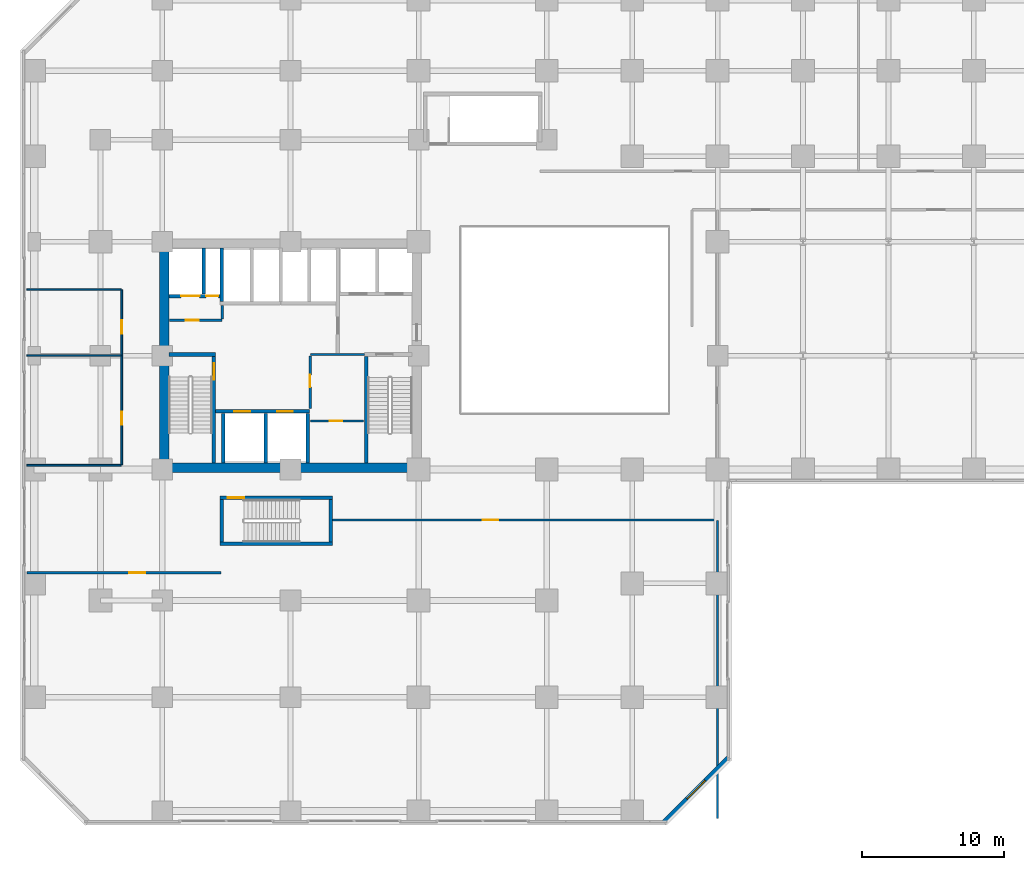
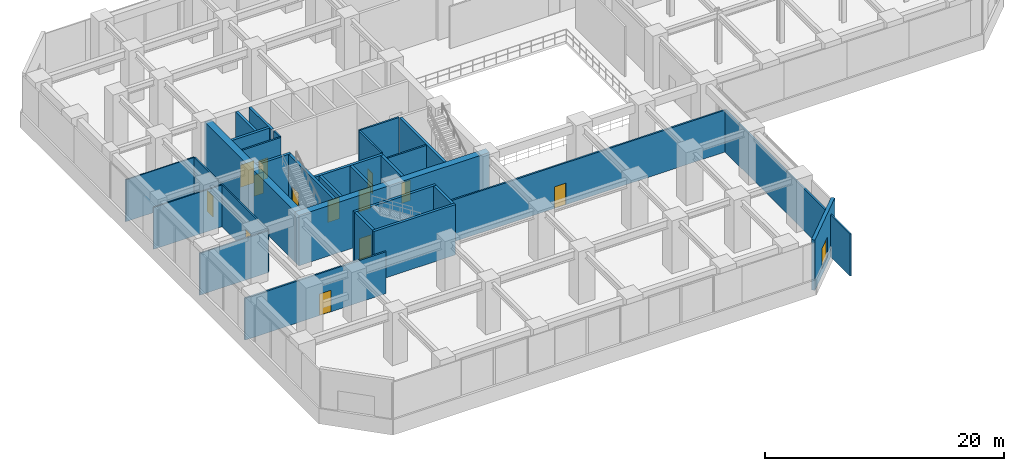
# One storey, part 24 of 33: 29 walls, 13 doors, 1 window, 14 openings.
"""IFC4 building model written with IfcOpenShell, lengths in metres."""

from ifc_helpers import new_model, si_unit, direction, frame, frame_2d, origin, place, context, subcontext, project, spatial, rectangle, extrude, source, transform, mapped, material, layer, layer_set, type_object, element, fill, save


model = new_model("IFC4")

# Units and contexts
model_context = context("Model", 3, precision=1e-05, world=origin(), true_north=direction((0.0, 1.0)))
body_context = subcontext(model_context, "Body", "Model", "MODEL_VIEW")
ifc_project = project(units=[si_unit("LENGTHUNIT", "METRE"), si_unit("AREAUNIT", "SQUARE_METRE"), si_unit("VOLUMEUNIT", "CUBIC_METRE"), si_unit("PLANEANGLEUNIT", "RADIAN"), si_unit("MASSUNIT", "GRAM", prefix="KILO")], contexts=[model_context])

# Site, building, storey
site_placement = place(None, origin())
site = spatial("IfcSite", under=ifc_project, at=site_placement, CompositionType="ELEMENT")
building_placement = place(site_placement, origin())
building = spatial("IfcBuilding", under=site, at=building_placement, Name="Torre Montelarca", CompositionType="ELEMENT")
storey_placement = place(building_placement, frame((0.0, 0.0, 12.0)))
storey = spatial("IfcBuildingStorey", under=building, at=storey_placement, Name="L03", CompositionType="ELEMENT", Elevation=12.0)

# Wall, opening, door
ifc_material_1 = material(Name="Concrete C40/50", Category="concrete")
ifc_layer_1 = layer(ifc_material_1, 0.25, Name="Concrete C40/50", Category="concrete")
ifc_layer_set_1 = layer_set([ifc_layer_1], Name="Concrete C40/50")
wall_type_1 = type_object("IfcWallType", Name="CW-SHAFT-250", PredefinedType="SHEAR", material=ifc_layer_set_1)
wall_1_placement = place(storey_placement, frame((12.625, 24.4599609375, 0.0), z_axis=(0.0, 0.0, 1.0), x_axis=(0.0, 1.0, 0.0)))
wall_1 = element("IfcWall", 1, at=wall_1_placement, inside=storey, type_object=wall_type_1, Name="L03 Core Shear Wall SH-ST1-E", PredefinedType="SHEAR", context=body_context, shape_type="SweptSolid", body=[
    extrude(rectangle(XDim=7.489990234375, YDim=0.25, at=frame_2d((3.7451171875, 0.0))), origin(), (0.0, 0.0, 1.0), 5.139892578125),
])
opening_1_placement = place(wall_1_placement, frame((5.85009765625, 0.0, 0.0)))
opening_1 = element("IfcOpeningElement", 2, at=opening_1_placement, cuts=wall_1, Name="Opening FD-ST1", PredefinedType="OPENING", context=body_context, shape_type="SweptSolid", body=[
    extrude(rectangle(XDim=1.14990234375, YDim=2.199951171875, at=frame_2d((0.574951171875, 1.10009765625))), frame((0.0, 0.135009765625, 0.0), z_axis=(0.0, -1.0, 0.0), x_axis=(1.0, 0.0, 0.0)), (0.0, 0.0, 1.0), 0.27001953125),
])
ifc_material_2 = material(Name="Galvanized steel fire door", Category="steel")
door_type_1 = type_object("IfcDoorType", Name="DR-STAIR-115", OperationType="NOTDEFINED", PredefinedType="DOOR", material=ifc_material_2)
shared_shape_1 = source(origin(), body_context, "Body", "SweptSolid", [
    extrude(rectangle(XDim=1.14990234375, YDim=2.199951171875, at=frame_2d((0.574951171875, 1.10009765625))), frame((0.0, 0.02490234375, 0.0), z_axis=(0.0, -1.0, 0.0), x_axis=(1.0, 0.0, 0.0)), (0.0, 0.0, 1.0), 0.050048828125),
])
door_1_placement = place(opening_1_placement, origin())
door_1 = element("IfcDoor", 3, at=door_1_placement, inside=storey, type_object=door_type_1, Name="L03 Exit Stair ST1 Fire Door", OperationType="SINGLE_SWING_RIGHT", OverallHeight=2.199951171875, OverallWidth=1.14990234375, PredefinedType="DOOR", context=body_context, shape_type="MappedRepresentation", body=[
    mapped(shared_shape_1, transform((0.0, 0.0, 0.0), scale=1.0)),
])
fill(opening_1, door_1)

# Walls
wall_2_placement = place(storey_placement, frame((9.4599609375, 32.074951171875, 0.0), z_axis=(0.0, 0.0, 1.0), x_axis=(1.0, 0.0, 0.0)))
element("IfcWall", 4, at=wall_2_placement, inside=storey, type_object=wall_type_1, Name="L03 Core Shear Wall SH-ST1-N", PredefinedType="SHEAR", context=body_context, shape_type="SweptSolid", body=[
    extrude(rectangle(XDim=3.2900390625, YDim=0.25, at=frame_2d((1.64501953125, 0.0))), origin(), (0.0, 0.0, 1.0), 5.139892578125),
])
wall_3_placement = place(storey_placement, frame((23.31494140625, 24.4599609375, 0.0), z_axis=(0.0, 0.0, 1.0), x_axis=(0.0, 1.0, 0.0)))
element("IfcWall", 5, at=wall_3_placement, inside=storey, type_object=wall_type_1, Name="L03 Core Shear Wall SH-ST2-W", PredefinedType="SHEAR", context=body_context, shape_type="SweptSolid", body=[
    extrude(rectangle(XDim=7.489990234375, YDim=0.25, at=frame_2d((3.7451171875, 0.0))), origin(), (0.0, 0.0, 1.0), 5.139892578125),
])

# Wall, openings, doors
wall_4_placement = place(storey_placement, frame((9.4599609375, 36.179931640625, 0.0), z_axis=(0.0, 0.0, 1.0), x_axis=(1.0, 0.0, 0.0)))
wall_4 = element("IfcWall", 6, at=wall_4_placement, inside=storey, type_object=wall_type_1, Name="L03 Core Shear Wall SH-SV1-S", PredefinedType="SHEAR", context=body_context, shape_type="SweptSolid", body=[
    extrude(rectangle(XDim=3.7900390625, YDim=0.25, at=frame_2d((1.89501953125, 0.0))), origin(), (0.0, 0.0, 1.0), 5.139892578125),
])
opening_2_placement = place(wall_4_placement, frame((2.6201171875, 0.0, 0.0)))
opening_2 = element("IfcOpeningElement", 7, at=opening_2_placement, cuts=wall_4, Name="Opening FD-085", PredefinedType="OPENING", context=body_context, shape_type="SweptSolid", body=[
    extrude(rectangle(XDim=0.85009765625, YDim=2.10009765625, at=frame_2d((0.425048828125, 1.050048828125))), frame((0.0, 0.135009765625, 0.0), z_axis=(0.0, -1.0, 0.0), x_axis=(1.0, 0.0, 0.0)), (0.0, 0.0, 1.0), 0.27001953125),
])
opening_3_placement = place(wall_4_placement, frame((0.85009765625, 0.0, 0.0)))
opening_3 = element("IfcOpeningElement", 8, at=opening_3_placement, cuts=wall_4, Name="Opening LD-130", PredefinedType="OPENING", context=body_context, shape_type="SweptSolid", body=[
    extrude(rectangle(XDim=1.300048828125, YDim=2.25, at=frame_2d((0.64990234375, 1.125))), frame((0.0, 0.135009765625, 0.0), z_axis=(0.0, -1.0, 0.0), x_axis=(1.0, 0.0, 0.0)), (0.0, 0.0, 1.0), 0.27001953125),
])
ifc_material_3 = material(Name="Steel riser access fire door", Category="steel")
door_type_2 = type_object("IfcDoorType", Name="DR-RISER-085", OperationType="NOTDEFINED", PredefinedType="DOOR", material=ifc_material_3)
shared_shape_2 = source(origin(), body_context, "Body", "SweptSolid", [
    extrude(rectangle(XDim=0.85009765625, YDim=2.10009765625, at=frame_2d((0.425048828125, 1.050048828125))), frame((0.0, 0.02490234375, 0.0), z_axis=(0.0, -1.0, 0.0), x_axis=(1.0, 0.0, 0.0)), (0.0, 0.0, 1.0), 0.050048828125),
])
door_2_placement = place(opening_2_placement, origin())
door_2 = element("IfcDoor", 9, at=door_2_placement, inside=storey, type_object=door_type_2, Name="L03 Electrical Riser Shaft Access Door", OperationType="SINGLE_SWING_RIGHT", OverallHeight=2.10009765625, OverallWidth=0.85009765625, PredefinedType="DOOR", context=body_context, shape_type="MappedRepresentation", body=[
    mapped(shared_shape_2, transform((0.0, 0.0, 0.0), scale=1.0)),
])
fill(opening_2, door_2)
ifc_material_4 = material(Name="Brushed stainless steel AISI 316", Category="steel")
door_type_3 = type_object("IfcDoorType", Name="DR-LIFT-130", OperationType="SLIDING_TO_LEFT", PredefinedType="DOOR", material=ifc_material_4)
shared_shape_3 = source(origin(), body_context, "Body", "SweptSolid", [
    extrude(rectangle(XDim=1.300048828125, YDim=2.25, at=frame_2d((0.64990234375, 1.125))), frame((0.0, 0.02490234375, 0.0), z_axis=(0.0, -1.0, 0.0), x_axis=(1.0, 0.0, 0.0)), (0.0, 0.0, 1.0), 0.050048828125),
])
door_3_placement = place(opening_3_placement, origin())
door_3 = element("IfcDoor", 10, at=door_3_placement, inside=storey, type_object=door_type_3, Name="L03 Lift Landing Sliding Door SV-1", OperationType="SLIDING_TO_LEFT", OverallHeight=2.25, OverallWidth=1.300048828125, PredefinedType="DOOR", context=body_context, shape_type="MappedRepresentation", body=[
    mapped(shared_shape_3, transform((0.0, 0.0, 0.0), scale=1.0)),
])
fill(opening_3, door_3)

# Wall
wall_5_placement = place(storey_placement, frame((11.89990234375, 36.31005859375, 0.0), z_axis=(0.0, 0.0, 1.0), x_axis=(0.0, 1.0, 0.0)))
element("IfcWall", 11, at=wall_5_placement, inside=storey, type_object=wall_type_1, Name="L03 Core Shear Wall SH-SV1-E", PredefinedType="SHEAR", context=body_context, shape_type="SweptSolid", body=[
    extrude(rectangle(XDim=3.22998046875, YDim=0.25, at=frame_2d((1.614990234375, 0.0))), origin(), (0.0, 0.0, 1.0), 5.139892578125),
])

# Wall, openings, doors
wall_6_placement = place(storey_placement, frame((12.6298828125, 28.080078125, 0.0), z_axis=(0.0, 0.0, 1.0), x_axis=(1.0, 0.0, 0.0)))
wall_6 = element("IfcWall", 12, at=wall_6_placement, inside=storey, type_object=wall_type_1, Name="L03 Core Shear Wall SH-PLL-N", PredefinedType="SHEAR", context=body_context, shape_type="SweptSolid", body=[
    extrude(rectangle(XDim=6.710205078125, YDim=0.25, at=frame_2d((3.35498046875, 0.0))), origin(), (0.0, 0.0, 1.0), 5.139892578125),
])
opening_4_placement = place(wall_6_placement, frame((1.429931640625, 0.0, 0.0)))
opening_4 = element("IfcOpeningElement", 13, at=opening_4_placement, cuts=wall_6, Name="Opening LD-110", PredefinedType="OPENING", context=body_context, shape_type="SweptSolid", body=[
    extrude(rectangle(XDim=1.10009765625, YDim=2.199951171875, at=frame_2d((0.550048828125, 1.10009765625))), frame((0.0, 0.135009765625, 0.0), z_axis=(0.0, -1.0, 0.0), x_axis=(1.0, 0.0, 0.0)), (0.0, 0.0, 1.0), 0.27001953125),
])
opening_5_placement = place(wall_6_placement, frame((4.429931640625, 0.0, 0.0)))
opening_5 = element("IfcOpeningElement", 14, at=opening_5_placement, cuts=wall_6, Name="Opening LD-110", PredefinedType="OPENING", context=body_context, shape_type="SweptSolid", body=[
    extrude(rectangle(XDim=1.10009765625, YDim=2.199951171875, at=frame_2d((0.550048828125, 1.10009765625))), frame((0.0, 0.135009765625, 0.0), z_axis=(0.0, -1.0, 0.0), x_axis=(1.0, 0.0, 0.0)), (0.0, 0.0, 1.0), 0.27001953125),
])
door_type_4 = type_object("IfcDoorType", Name="DR-LIFT-110", OperationType="SLIDING_TO_LEFT", PredefinedType="DOOR", material=ifc_material_4)
shared_shape_4 = source(origin(), body_context, "Body", "SweptSolid", [
    extrude(rectangle(XDim=1.10009765625, YDim=2.199951171875, at=frame_2d((0.550048828125, 1.10009765625))), frame((0.0, 0.02490234375, 0.0), z_axis=(0.0, -1.0, 0.0), x_axis=(1.0, 0.0, 0.0)), (0.0, 0.0, 1.0), 0.050048828125),
])
door_4_placement = place(opening_4_placement, origin())
door_4 = element("IfcDoor", 15, at=door_4_placement, inside=storey, type_object=door_type_4, Name="L03 Lift Landing Sliding Door PL-L1", OperationType="SLIDING_TO_LEFT", OverallHeight=2.199951171875, OverallWidth=1.10009765625, PredefinedType="DOOR", context=body_context, shape_type="MappedRepresentation", body=[
    mapped(shared_shape_4, transform((0.0, 0.0, 0.0), scale=1.0)),
])
fill(opening_4, door_4)
door_5_placement = place(opening_5_placement, origin())
door_5 = element("IfcDoor", 16, at=door_5_placement, inside=storey, type_object=door_type_4, Name="L03 Lift Landing Sliding Door PL-L2", OperationType="SLIDING_TO_RIGHT", OverallHeight=2.199951171875, OverallWidth=1.10009765625, PredefinedType="DOOR", context=body_context, shape_type="MappedRepresentation", body=[
    mapped(shared_shape_4, transform((0.0, 0.0, 0.0), scale=1.0)),
])
fill(opening_5, door_5)

# Walls
for number, where, z_axis, x_axis, name in (
    (17, (13.280029296875, 24.4599609375, 0.0), (0.0, 0.0, 1.0), (0.0, 1.0, 0.0), "L03 Core Shear Wall SH-PLL-W"),
    (18, (16.25, 24.4599609375, 0.0), (0.0, 0.0, 1.0), (0.0, 1.0, 0.0), "L03 Core Shear Wall SH-PLL-M"),
    (19, (19.219970703125, 24.4599609375, 0.0), (0.0, 0.0, 1.0), (0.0, 1.0, 0.0), "L03 Core Shear Wall SH-PLL-E"),
):
    element("IfcWall", number, at=place(storey_placement, frame(where, z_axis=z_axis, x_axis=x_axis)), inside=storey, type_object=wall_type_1, Name=name, PredefinedType="SHEAR", context=body_context, shape_type="SweptSolid", body=[
        extrude(rectangle(XDim=3.489990234375, YDim=0.25, at=frame_2d((1.7451171875, 0.0))), origin(), (0.0, 0.0, 1.0), 5.139892578125),
    ])
wall_7_placement = place(storey_placement, frame((13.179931640625, 35.81005859375, 0.0), z_axis=(0.0, 0.0, 1.0), x_axis=(0.0, 1.0, 0.0)))
element("IfcWall", 20, at=wall_7_placement, inside=storey, type_object=wall_type_1, Name="L03 Core Shear Wall SH-PLM-W", PredefinedType="SHEAR", context=body_context, shape_type="SweptSolid", body=[
    extrude(rectangle(XDim=3.72998046875, YDim=0.25, at=frame_2d((1.864990234375, 0.0))), origin(), (0.0, 0.0, 1.0), 5.139892578125),
])
for number, where, z_axis, x_axis, name in (
    (21, (13.175048828125, 18.89990234375, 0.0), (0.0, 0.0, 1.0), (0.0, 1.0, 0.0), "L03 Core Shear Wall SH-ST3-W"),
    (22, (20.824951171875, 18.89990234375, 0.0), (0.0, 0.0, 1.0), (0.0, 1.0, 0.0), "L03 Core Shear Wall SH-ST3-E"),
):
    element("IfcWall", number, at=place(storey_placement, frame(where, z_axis=z_axis, x_axis=x_axis)), inside=storey, type_object=wall_type_1, Name=name, PredefinedType="SHEAR", context=body_context, shape_type="SweptSolid", body=[
        extrude(rectangle(XDim=2.989990234375, YDim=0.25, at=frame_2d((1.4951171875, 0.0))), origin(), (0.0, 0.0, 1.0), 5.139892578125),
    ])
wall_8_placement = place(storey_placement, frame((13.050048828125, 18.77490234375, 0.0), z_axis=(0.0, 0.0, 1.0), x_axis=(1.0, 0.0, 0.0)))
element("IfcWall", 23, at=wall_8_placement, inside=storey, type_object=wall_type_1, Name="L03 Core Shear Wall SH-ST3-S", PredefinedType="SHEAR", context=body_context, shape_type="SweptSolid", body=[
    extrude(rectangle(XDim=7.89990234375, YDim=0.25, at=frame_2d((3.949951171875, 0.0))), origin(), (0.0, 0.0, 1.0), 5.139892578125),
])

# Wall, opening, door
wall_9_placement = place(storey_placement, frame((13.050048828125, 22.014892578125, 0.0), z_axis=(0.0, 0.0, 1.0), x_axis=(1.0, 0.0, 0.0)))
wall_9 = element("IfcWall", 24, at=wall_9_placement, inside=storey, type_object=wall_type_1, Name="L03 Core Shear Wall SH-ST3-N", PredefinedType="SHEAR", context=body_context, shape_type="SweptSolid", body=[
    extrude(rectangle(XDim=7.89990234375, YDim=0.25, at=frame_2d((3.949951171875, 0.0))), origin(), (0.0, 0.0, 1.0), 5.139892578125),
])
opening_6_placement = place(wall_9_placement, frame((0.550048828125, 0.0, 0.0)))
opening_6 = element("IfcOpeningElement", 25, at=opening_6_placement, cuts=wall_9, Name="Opening FD-ST1", PredefinedType="OPENING", context=body_context, shape_type="SweptSolid", body=[
    extrude(rectangle(XDim=1.14990234375, YDim=2.199951171875, at=frame_2d((0.574951171875, 1.10009765625))), frame((0.0, 0.135009765625, 0.0), z_axis=(0.0, -1.0, 0.0), x_axis=(1.0, 0.0, 0.0)), (0.0, 0.0, 1.0), 0.27001953125),
])
door_6_placement = place(opening_6_placement, origin())
door_6 = element("IfcDoor", 26, at=door_6_placement, inside=storey, type_object=door_type_1, Name="L03 Exit Stair ST3 Fire Door", OperationType="SINGLE_SWING_LEFT", OverallHeight=2.199951171875, OverallWidth=1.14990234375, PredefinedType="DOOR", context=body_context, shape_type="MappedRepresentation", body=[
    mapped(shared_shape_1, transform((0.0, 0.0, 0.0), scale=1.0)),
])
fill(opening_6, door_6)

# Walls
ifc_material_5 = material(Name="Concrete C70/85", Category="concrete")
ifc_layer_2 = layer(ifc_material_5, 0.64990234375, Name="Concrete C70/85", Category="concrete")
ifc_layer_set_2 = layer_set([ifc_layer_2], Name="Concrete C70/85")
wall_type_2 = type_object("IfcWallType", Name="CW-SHEAR-650", PredefinedType="SHEAR", material=ifc_layer_set_2)
wall_10_placement = place(storey_placement, frame((9.125, 24.449951171875, 0.0), z_axis=(0.0, 0.0, 1.0), x_axis=(0.0, 1.0, 0.0)))
element("IfcWall", 27, at=wall_10_placement, inside=storey, type_object=wall_type_2, Name="L03 Core Shear Wall CW-W", PredefinedType="SHEAR", context=body_context, shape_type="SweptSolid", body=[
    extrude(rectangle(XDim=15.10009765625, YDim=0.64990234375, at=frame_2d((7.550048828125, 0.0))), origin(), (0.0, 0.0, 1.0), 5.139892578125),
])
wall_11_placement = place(storey_placement, frame((8.800048828125, 24.125, 0.0), z_axis=(0.0, 0.0, 1.0), x_axis=(1.0, 0.0, 0.0)))
element("IfcWall", 28, at=wall_11_placement, inside=storey, type_object=wall_type_2, Name="L03 Core Shear Wall CW-S1", PredefinedType="SHEAR", context=body_context, shape_type="SweptSolid", body=[
    extrude(rectangle(XDim=18.39990234375, YDim=0.64990234375, at=frame_2d((9.199951171875, 0.0))), origin(), (0.0, 0.0, 1.0), 5.139892578125),
])

# Wall, opening, window
ifc_material_6 = material(Name="Precast concrete C45/55", Category="concrete")
ifc_layer_3 = layer(ifc_material_6, 0.320068359375, Name="Precast concrete C45/55", Category="concrete")
ifc_layer_set_3 = layer_set([ifc_layer_3], Name="Precast concrete C45/55")
wall_type_3 = type_object("IfcWallType", Name="EW-CONC-320", PredefinedType="SOLIDWALL", material=ifc_layer_set_3)
wall_12_placement = place(storey_placement, frame((44.244384765625, -0.744384765625, 0.0), z_axis=(0.0, 0.0, 1.0), x_axis=(0.707106781187, 0.707106781187, 0.0)))
wall_12 = element("IfcWall", 29, at=wall_12_placement, inside=storey, type_object=wall_type_3, Name="L03 Podium Precast Concrete Wall E02", PredefinedType="SOLIDWALL", context=body_context, shape_type="SweptSolid", body=[
    extrude(rectangle(XDim=6.364013671875, YDim=0.320068359375, at=frame_2d((3.18212890625, 0.0))), origin(), (0.0, 0.0, 1.0), 5.139892578125),
])
opening_7_placement = place(wall_12_placement, frame((2.281982421875, 0.0, 0.64990234375)))
opening_7 = element("IfcOpeningElement", 30, at=opening_7_placement, cuts=wall_12, Name="Opening W-06", PredefinedType="OPENING", context=body_context, shape_type="SweptSolid", body=[
    extrude(rectangle(XDim=1.800048828125, YDim=2.10009765625, at=frame_2d((0.89990234375, 1.050048828125))), frame((0.0, 0.169921875, 0.0), z_axis=(0.0, -1.0, 0.0), x_axis=(1.0, 0.0, 0.0)), (0.0, 0.0, 1.0), 0.340087890625),
])
ifc_material_7 = material(Name="Insulated low-E laminated glass in aluminium frame", Category="aluminium")
window_type = type_object("IfcWindowType", Name="WIN-W06", PartitioningType="SINGLE_PANEL", PredefinedType="WINDOW", material=ifc_material_7)
shared_shape_5 = source(origin(), body_context, "Body", "SweptSolid", [
    extrude(rectangle(XDim=1.800048828125, YDim=2.10009765625, at=frame_2d((0.89990234375, 1.050048828125))), frame((0.0, 0.030029296875, 0.0), z_axis=(0.0, -1.0, 0.0), x_axis=(1.0, 0.0, 0.0)), (0.0, 0.0, 1.0), 0.06005859375),
])
window_placement = place(opening_7_placement, origin())
window = element("IfcWindow", 31, at=window_placement, inside=storey, type_object=window_type, Name="L03 Podium Chamfer Feature Window E02", OverallHeight=2.10009765625, OverallWidth=1.800048828125, PartitioningType="SINGLE_PANEL", PredefinedType="WINDOW", context=body_context, shape_type="MappedRepresentation", body=[
    mapped(shared_shape_5, transform((0.0, 0.0, 0.0), scale=1.0)),
])
fill(opening_7, window)

# Wall, opening, door
ifc_material_8 = material(Name="Gypsum plasterboard on steel stud", Category="steel")
ifc_layer_4 = layer(ifc_material_8, 0.159912109375, Name="Gypsum plasterboard on steel stud", Category="steel")
ifc_layer_set_4 = layer_set([ifc_layer_4], Name="Gypsum plasterboard on steel stud")
wall_type_4 = type_object("IfcWallType", Name="PW-FIRE-160", PredefinedType="PARTITIONING", material=ifc_layer_set_4)
wall_13_placement = place(storey_placement, frame((9.489990234375, 34.47998046875, 0.0), z_axis=(0.0, 0.0, 1.0), x_axis=(1.0, 0.0, 0.0)))
wall_13 = element("IfcWall", 32, at=wall_13_placement, inside=storey, type_object=wall_type_4, Name="L03 Interior Partition CW-L03-SVS", PredefinedType="PARTITIONING", context=body_context, shape_type="SweptSolid", body=[
    extrude(rectangle(XDim=3.699951171875, YDim=0.159912109375, at=frame_2d((1.85009765625, 0.0))), origin(), (0.0, 0.0, 1.0), 5.139892578125),
])
opening_8_placement = place(wall_13_placement, frame((1.14990234375, 0.0, 0.0)))
opening_8 = element("IfcOpeningElement", 33, at=opening_8_placement, cuts=wall_13, Name="Opening FD-090", PredefinedType="OPENING", context=body_context, shape_type="SweptSolid", body=[
    extrude(rectangle(XDim=0.89990234375, YDim=2.14990234375, at=frame_2d((0.449951171875, 1.074951171875))), frame((0.0, 0.08984375, 0.0), z_axis=(0.0, -1.0, 0.0), x_axis=(1.0, 0.0, 0.0)), (0.0, 0.0, 1.0), 0.179931640625),
])
ifc_material_9 = material(Name="Steel service fire door", Category="steel")
door_type_5 = type_object("IfcDoorType", Name="DR-FIRE-090", OperationType="NOTDEFINED", PredefinedType="DOOR", material=ifc_material_9)
shared_shape_6 = source(origin(), body_context, "Body", "SweptSolid", [
    extrude(rectangle(XDim=0.89990234375, YDim=2.14990234375, at=frame_2d((0.449951171875, 1.074951171875))), frame((0.0, 0.02490234375, 0.0), z_axis=(0.0, -1.0, 0.0), x_axis=(1.0, 0.0, 0.0)), (0.0, 0.0, 1.0), 0.050048828125),
])
door_7_placement = place(opening_8_placement, origin())
door_7 = element("IfcDoor", 34, at=door_7_placement, inside=storey, type_object=door_type_5, Name="L03 Interior Door 01", OperationType="SINGLE_SWING_RIGHT", OverallHeight=2.14990234375, OverallWidth=0.89990234375, PredefinedType="DOOR", context=body_context, shape_type="MappedRepresentation", body=[
    mapped(shared_shape_6, transform((0.0, 0.0, 0.0), scale=1.0)),
])
fill(opening_8, door_7)

# Walls
wall_14_placement = place(storey_placement, frame((13.199951171875, 34.570068359375, 0.0), z_axis=(0.0, 0.0, 1.0), x_axis=(0.0, 1.0, 0.0)))
element("IfcWall", 35, at=wall_14_placement, inside=storey, type_object=wall_type_4, Name="L03 Interior Partition CW-L03-SVE", PredefinedType="PARTITIONING", context=body_context, shape_type="SweptSolid", body=[
    extrude(rectangle(XDim=0.93994140625, YDim=0.159912109375, at=frame_2d((0.469970703125, 0.0))), origin(), (0.0, 0.0, 1.0), 5.139892578125),
])
wall_15_placement = place(storey_placement, frame((19.389892578125, 32.080078125, 0.0), z_axis=(0.0, 0.0, 1.0), x_axis=(1.0, 0.0, 0.0)))
element("IfcWall", 36, at=wall_15_placement, inside=storey, type_object=wall_type_4, Name="L03 Interior Partition CW-L03-SEN", PredefinedType="PARTITIONING", context=body_context, shape_type="SweptSolid", body=[
    extrude(rectangle(XDim=3.820068359375, YDim=0.159912109375, at=frame_2d((1.91015625, 0.0))), origin(), (0.0, 0.0, 1.0), 5.139892578125),
])

# Wall, opening, door
wall_16_placement = place(storey_placement, frame((19.3798828125, 28.2900390625, 0.0), z_axis=(0.0, 0.0, 1.0), x_axis=(0.0, 1.0, 0.0)))
wall_16 = element("IfcWall", 37, at=wall_16_placement, inside=storey, type_object=wall_type_4, Name="L03 Interior Partition CW-L03-SEW", PredefinedType="PARTITIONING", context=body_context, shape_type="SweptSolid", body=[
    extrude(rectangle(XDim=3.669921875, YDim=0.159912109375, at=frame_2d((1.8349609375, 0.0))), origin(), (0.0, 0.0, 1.0), 5.139892578125),
])
opening_9_placement = place(wall_16_placement, frame((1.5, 0.0, 0.0)))
opening_9 = element("IfcOpeningElement", 38, at=opening_9_placement, cuts=wall_16, Name="Opening FD-085", PredefinedType="OPENING", context=body_context, shape_type="SweptSolid", body=[
    extrude(rectangle(XDim=0.85009765625, YDim=2.10009765625, at=frame_2d((0.425048828125, 1.050048828125))), frame((0.0, 0.08984375, 0.0), z_axis=(0.0, -1.0, 0.0), x_axis=(1.0, 0.0, 0.0)), (0.0, 0.0, 1.0), 0.179931640625),
])
door_8_placement = place(opening_9_placement, origin())
door_8 = element("IfcDoor", 39, at=door_8_placement, inside=storey, type_object=door_type_2, Name="L03 Interior Door 03", OperationType="SINGLE_SWING_RIGHT", OverallHeight=2.10009765625, OverallWidth=0.85009765625, PredefinedType="DOOR", context=body_context, shape_type="MappedRepresentation", body=[
    mapped(shared_shape_2, transform((0.0, 0.0, 0.0), scale=1.0)),
])
fill(opening_9, door_8)

wall_17_placement = place(storey_placement, frame((19.419921875, 27.39990234375, 0.0), z_axis=(0.0, 0.0, 1.0), x_axis=(1.0, 0.0, 0.0)))
wall_17 = element("IfcWall", 40, at=wall_17_placement, inside=storey, type_object=wall_type_4, Name="L03 Interior Partition CW-L03-SEM1", PredefinedType="PARTITIONING", context=body_context, shape_type="SweptSolid", body=[
    extrude(rectangle(XDim=3.719970703125, YDim=0.159912109375, at=frame_2d((1.85986328125, 0.0))), origin(), (0.0, 0.0, 1.0), 5.139892578125),
])
opening_10_placement = place(wall_17_placement, frame((1.35009765625, 0.0, 0.0)))
opening_10 = element("IfcOpeningElement", 41, at=opening_10_placement, cuts=wall_17, Name="Opening FD-085", PredefinedType="OPENING", context=body_context, shape_type="SweptSolid", body=[
    extrude(rectangle(XDim=0.85009765625, YDim=2.10009765625, at=frame_2d((0.425048828125, 1.050048828125))), frame((0.0, 0.08984375, 0.0), z_axis=(0.0, -1.0, 0.0), x_axis=(1.0, 0.0, 0.0)), (0.0, 0.0, 1.0), 0.179931640625),
])
door_9_placement = place(opening_10_placement, origin())
door_9 = element("IfcDoor", 42, at=door_9_placement, inside=storey, type_object=door_type_2, Name="L03 Interior Door 02", OperationType="SINGLE_SWING_LEFT", OverallHeight=2.10009765625, OverallWidth=0.85009765625, PredefinedType="DOOR", context=body_context, shape_type="MappedRepresentation", body=[
    mapped(shared_shape_2, transform((0.0, 0.0, 0.0), scale=1.0)),
])
fill(opening_10, door_9)

wall_18_placement = place(storey_placement, frame((-0.510009765625, 16.75, 0.0), z_axis=(0.0, 0.0, 1.0), x_axis=(1.0, 0.0, 0.0)))
wall_18 = element("IfcWall", 43, at=wall_18_placement, inside=storey, type_object=wall_type_4, Name="L03 Interior Partition W-L03-CSW", PredefinedType="PARTITIONING", context=body_context, shape_type="SweptSolid", body=[
    extrude(rectangle(XDim=13.6201171875, YDim=0.159912109375, at=frame_2d((6.81005859375, 0.0))), origin(), (0.0, 0.0, 1.0), 4.26953125),
])
opening_11_placement = place(wall_18_placement, frame((7.199951171875, 0.0, 0.0)))
opening_11 = element("IfcOpeningElement", 44, at=opening_11_placement, cuts=wall_18, Name="Opening FD-110", PredefinedType="OPENING", context=body_context, shape_type="SweptSolid", body=[
    extrude(rectangle(XDim=1.10009765625, YDim=2.199951171875, at=frame_2d((0.550048828125, 1.10009765625))), frame((0.0, 0.08984375, 0.0), z_axis=(0.0, -1.0, 0.0), x_axis=(1.0, 0.0, 0.0)), (0.0, 0.0, 1.0), 0.179931640625),
])
ifc_material_10 = material(Name="Timber fire-rated suite door", Category="wood")
door_type_6 = type_object("IfcDoorType", Name="DR-FIRE-110", OperationType="NOTDEFINED", PredefinedType="DOOR", material=ifc_material_10)
shared_shape_7 = source(origin(), body_context, "Body", "SweptSolid", [
    extrude(rectangle(XDim=1.10009765625, YDim=2.199951171875, at=frame_2d((0.550048828125, 1.10009765625))), frame((0.0, 0.02490234375, 0.0), z_axis=(0.0, -1.0, 0.0), x_axis=(1.0, 0.0, 0.0)), (0.0, 0.0, 1.0), 0.050048828125),
])
door_10_placement = place(opening_11_placement, origin())
door_10 = element("IfcDoor", 45, at=door_10_placement, inside=storey, type_object=door_type_6, Name="L03 Interior Door 06", OperationType="SINGLE_SWING_LEFT", OverallHeight=2.199951171875, OverallWidth=1.10009765625, PredefinedType="DOOR", context=body_context, shape_type="MappedRepresentation", body=[
    mapped(shared_shape_7, transform((0.0, 0.0, 0.0), scale=1.0)),
])
fill(opening_11, door_10)

wall_19_placement = place(storey_placement, frame((20.889892578125, 20.449951171875, 0.0), z_axis=(0.0, 0.0, 1.0), x_axis=(1.0, 0.0, 0.0)))
wall_19 = element("IfcWall", 46, at=wall_19_placement, inside=storey, type_object=wall_type_4, Name="L03 Interior Partition W-L03-CSE", PredefinedType="PARTITIONING", context=body_context, shape_type="SweptSolid", body=[
    extrude(rectangle(XDim=27.070068359375, YDim=0.159912109375, at=frame_2d((13.53515625, 0.0))), origin(), (0.0, 0.0, 1.0), 4.26953125),
])
opening_12_placement = place(wall_19_placement, frame((10.60009765625, 0.0, 0.0)))
opening_12 = element("IfcOpeningElement", 47, at=opening_12_placement, cuts=wall_19, Name="Opening FD-110", PredefinedType="OPENING", context=body_context, shape_type="SweptSolid", body=[
    extrude(rectangle(XDim=1.10009765625, YDim=2.199951171875, at=frame_2d((0.550048828125, 1.10009765625))), frame((0.0, 0.08984375, 0.0), z_axis=(0.0, -1.0, 0.0), x_axis=(1.0, 0.0, 0.0)), (0.0, 0.0, 1.0), 0.179931640625),
])
door_11_placement = place(opening_12_placement, origin())
door_11 = element("IfcDoor", 48, at=door_11_placement, inside=storey, type_object=door_type_6, Name="L03 Interior Door 07", OperationType="SINGLE_SWING_RIGHT", OverallHeight=2.199951171875, OverallWidth=1.10009765625, PredefinedType="DOOR", context=body_context, shape_type="MappedRepresentation", body=[
    mapped(shared_shape_7, transform((0.0, 0.0, 0.0), scale=1.0)),
])
fill(opening_12, door_11)

# Walls
wall_20_placement = place(storey_placement, frame((48.0, -0.510009765625, 0.0), z_axis=(0.0, 0.0, 1.0), x_axis=(0.0, 1.0, 0.0)))
element("IfcWall", 49, at=wall_20_placement, inside=storey, type_object=wall_type_4, Name="L03 Interior Partition W-L03-CSES", PredefinedType="PARTITIONING", context=body_context, shape_type="SweptSolid", body=[
    extrude(rectangle(XDim=20.919921875, YDim=0.159912109375, at=frame_2d((10.4599609375, 0.0))), origin(), (0.0, 0.0, 1.0), 4.27490234375),
])
ifc_material_11 = material(Name="Acoustic laminated glass partition", Category="glass")
ifc_layer_5 = layer(ifc_material_11, 0.10009765625, Name="Acoustic laminated glass partition", Category="glass")
ifc_layer_set_5 = layer_set([ifc_layer_5], Name="Acoustic laminated glass partition")
wall_type_5 = type_object("IfcWallType", Name="PW-GLAZ-100", PredefinedType="PARTITIONING", material=ifc_layer_set_5)
wall_21_placement = place(storey_placement, frame((-0.510009765625, 32.0, 0.0), z_axis=(0.0, 0.0, 1.0), x_axis=(1.0, 0.0, 0.0)))
element("IfcWall", 50, at=wall_21_placement, inside=storey, type_object=wall_type_5, Name="L03 Interior Partition W-L03-WC1", PredefinedType="PARTITIONING", context=body_context, shape_type="SweptSolid", body=[
    extrude(rectangle(XDim=6.6201171875, YDim=0.10009765625, at=frame_2d((3.31005859375, 0.0))), origin(), (0.0, 0.0, 1.0), 4.27490234375),
])
ifc_layer_6 = layer(ifc_material_8, 0.114990234375, Name="Gypsum plasterboard on steel stud", Category="steel")
ifc_layer_set_6 = layer_set([ifc_layer_6], Name="Gypsum plasterboard on steel stud")
wall_type_6 = type_object("IfcWallType", Name="PW-PART-115", PredefinedType="PARTITIONING", material=ifc_layer_set_6)
wall_22_placement = place(storey_placement, frame((-0.510009765625, 36.64990234375, 0.0), z_axis=(0.0, 0.0, 1.0), x_axis=(1.0, 0.0, 0.0)))
element("IfcWall", 51, at=wall_22_placement, inside=storey, type_object=wall_type_6, Name="L03 Interior Partition W-L03-WCN", PredefinedType="PARTITIONING", context=body_context, shape_type="SweptSolid", body=[
    extrude(rectangle(XDim=6.6201171875, YDim=0.114990234375, at=frame_2d((3.31005859375, 0.0))), origin(), (0.0, 0.0, 1.0), 4.27490234375),
])
ifc_layer_7 = layer(ifc_material_8, 0.135009765625, Name="Gypsum plasterboard on steel stud", Category="steel")
ifc_layer_set_7 = layer_set([ifc_layer_7], Name="Gypsum plasterboard on steel stud")
wall_type_7 = type_object("IfcWallType", Name="PW-PART-135", PredefinedType="PARTITIONING", material=ifc_layer_set_7)
wall_23_placement = place(storey_placement, frame((-0.510009765625, 24.300048828125, 0.0), z_axis=(0.0, 0.0, 1.0), x_axis=(1.0, 0.0, 0.0)))
element("IfcWall", 52, at=wall_23_placement, inside=storey, type_object=wall_type_7, Name="L03 Interior Partition W-L03-WCS", PredefinedType="PARTITIONING", context=body_context, shape_type="SweptSolid", body=[
    extrude(rectangle(XDim=6.6201171875, YDim=0.135009765625, at=frame_2d((3.31005859375, 0.0))), origin(), (0.0, 0.0, 1.0), 4.26953125),
])

# Wall, openings, doors
wall_24_placement = place(storey_placement, frame((6.14990234375, 24.340087890625, 0.0), z_axis=(0.0, 0.0, 1.0), x_axis=(0.0, 1.0, 0.0)))
wall_24 = element("IfcWall", 53, at=wall_24_placement, inside=storey, type_object=wall_type_7, Name="L03 Interior Partition W-L03-WCE", PredefinedType="PARTITIONING", context=body_context, shape_type="SweptSolid", body=[
    extrude(rectangle(XDim=12.27001953125, YDim=0.135009765625, at=frame_2d((6.135009765625, 0.0))), origin(), (0.0, 0.0, 1.0), 4.27490234375),
])
opening_13_placement = place(wall_24_placement, frame((2.800048828125, 0.0, 0.0)))
opening_13 = element("IfcOpeningElement", 54, at=opening_13_placement, cuts=wall_24, Name="Opening ID-090", PredefinedType="OPENING", context=body_context, shape_type="SweptSolid", body=[
    extrude(rectangle(XDim=0.89990234375, YDim=2.14990234375, at=frame_2d((0.449951171875, 1.074951171875))), frame((0.0, 0.07763671875, 0.0), z_axis=(0.0, -1.0, 0.0), x_axis=(1.0, 0.0, 0.0)), (0.0, 0.0, 1.0), 0.155029296875),
])
opening_14_placement = place(wall_24_placement, frame((9.199951171875, 0.0, 0.0)))
opening_14 = element("IfcOpeningElement", 55, at=opening_14_placement, cuts=wall_24, Name="Opening ID-095", PredefinedType="OPENING", context=body_context, shape_type="SweptSolid", body=[
    extrude(rectangle(XDim=0.949951171875, YDim=2.14990234375, at=frame_2d((0.47509765625, 1.074951171875))), frame((0.0, 0.07763671875, 0.0), z_axis=(0.0, -1.0, 0.0), x_axis=(1.0, 0.0, 0.0)), (0.0, 0.0, 1.0), 0.155029296875),
])
ifc_material_12 = material(Name="Hardwood acoustic timber veneer", Category="wood")
door_type_7 = type_object("IfcDoorType", Name="DR-INT-090", OperationType="NOTDEFINED", PredefinedType="DOOR", material=ifc_material_12)
shared_shape_8 = source(origin(), body_context, "Body", "SweptSolid", [
    extrude(rectangle(XDim=0.89990234375, YDim=2.14990234375, at=frame_2d((0.449951171875, 1.074951171875))), frame((0.0, 0.02490234375, 0.0), z_axis=(0.0, -1.0, 0.0), x_axis=(1.0, 0.0, 0.0)), (0.0, 0.0, 1.0), 0.050048828125),
])
door_12_placement = place(opening_13_placement, origin())
door_12 = element("IfcDoor", 56, at=door_12_placement, inside=storey, type_object=door_type_7, Name="L03 Interior Door 04", OperationType="SINGLE_SWING_LEFT", OverallHeight=2.14990234375, OverallWidth=0.89990234375, PredefinedType="DOOR", context=body_context, shape_type="MappedRepresentation", body=[
    mapped(shared_shape_8, transform((0.0, 0.0, 0.0), scale=1.0)),
])
fill(opening_13, door_12)
door_type_8 = type_object("IfcDoorType", Name="DR-INT-095", OperationType="NOTDEFINED", PredefinedType="DOOR", material=ifc_material_12)
shared_shape_9 = source(origin(), body_context, "Body", "SweptSolid", [
    extrude(rectangle(XDim=0.949951171875, YDim=2.14990234375, at=frame_2d((0.47509765625, 1.074951171875))), frame((0.0, 0.02490234375, 0.0), z_axis=(0.0, -1.0, 0.0), x_axis=(1.0, 0.0, 0.0)), (0.0, 0.0, 1.0), 0.050048828125),
])
door_13_placement = place(opening_14_placement, origin())
door_13 = element("IfcDoor", 57, at=door_13_placement, inside=storey, type_object=door_type_8, Name="L03 Interior Door 05", OperationType="SINGLE_SWING_RIGHT", OverallHeight=2.14990234375, OverallWidth=0.949951171875, PredefinedType="DOOR", context=body_context, shape_type="MappedRepresentation", body=[
    mapped(shared_shape_9, transform((0.0, 0.0, 0.0), scale=1.0)),
])
fill(opening_14, door_13)

save(model, "model.ifc")
